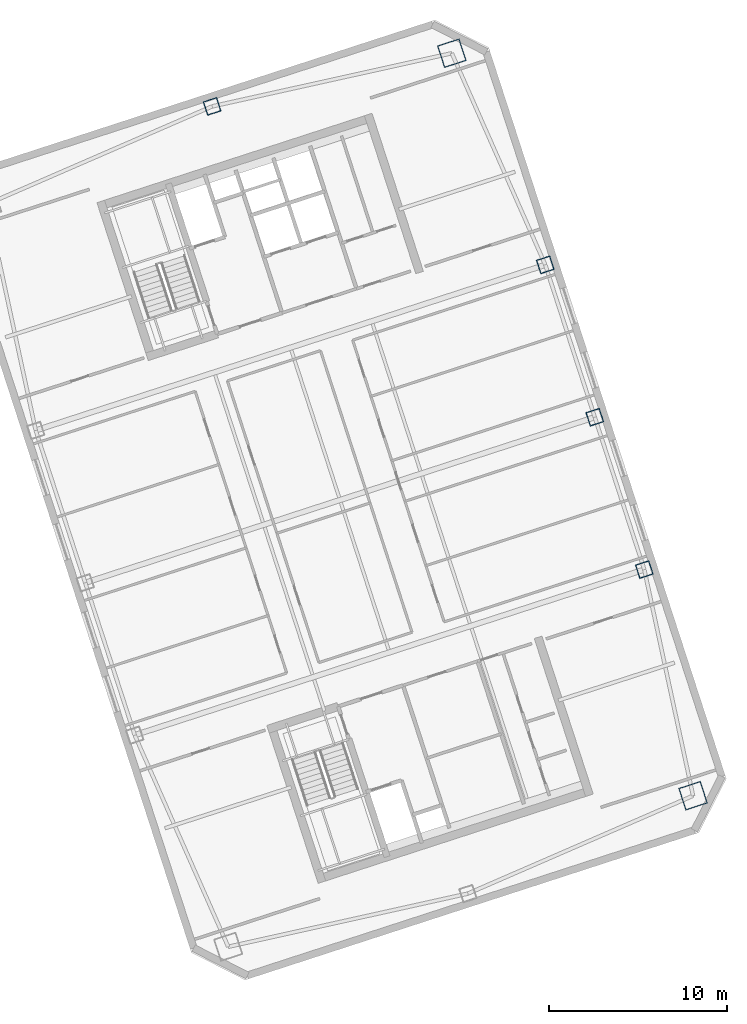
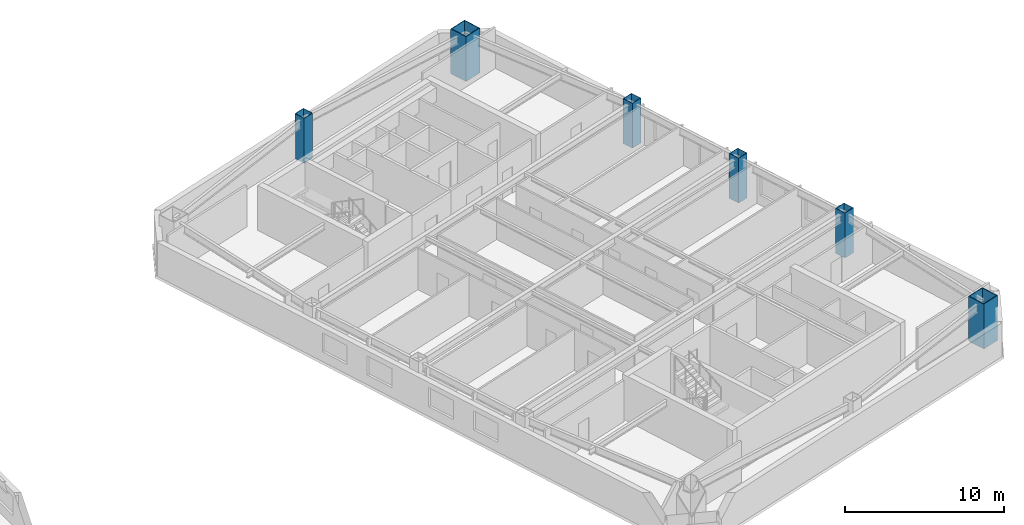
# One storey, part 2 of 13: 6 columns.
"""IFC4 building model written with IfcOpenShell, lengths in metres."""

from ifc_helpers import new_model, si_unit, direction, frame, origin, origin_2d, place, context, subcontext, project, spatial, hollow_rectangle, extrude, material, material_profile, profile_set, type_object, element, save


model = new_model("IFC4")

# Units and contexts
model_context = context("Model", 3, precision=1e-05, world=origin(), true_north=direction((0.0, 1.0)))
body_context = subcontext(model_context, "Body", "Model", "MODEL_VIEW")
ifc_project = project(units=[si_unit("LENGTHUNIT", "METRE"), si_unit("AREAUNIT", "SQUARE_METRE"), si_unit("VOLUMEUNIT", "CUBIC_METRE"), si_unit("PLANEANGLEUNIT", "RADIAN"), si_unit("MASSUNIT", "GRAM", prefix="KILO")], contexts=[model_context])

# Site, building, storey
site_placement = place(None, origin())
site = spatial("IfcSite", under=ifc_project, at=site_placement, CompositionType="ELEMENT")
building_placement = place(site_placement, origin())
building = spatial("IfcBuilding", under=site, at=building_placement, Name="Qiaolan Cultural Towers", CompositionType="ELEMENT")
storey_placement = place(building_placement, frame((0.0, 0.0, 192.050048828125)))
storey = spatial("IfcBuildingStorey", under=building, at=storey_placement, Name="L51", CompositionType="ELEMENT", Elevation=192.050048828125)

# Columns
ifc_material_1 = material(Name="Steel Q390GJB", Category="steel")
ifc_material_profile_1 = material_profile(ifc_material_1, hollow_rectangle(XDim=1.300048828125, YDim=1.300048828125, WallThickness=0.044921875, at=origin_2d()), Name="BOX1300x1300x45")
ifc_profile_set_1 = profile_set([ifc_material_profile_1], Name="Steel Q390GJB")
column_type_1 = type_object("IfcColumnType", Name="COL-BOX1300x1300x45", PredefinedType="COLUMN", material=ifc_profile_set_1)
for number, where, z_axis, x_axis, name in (
    (1, (109.834716796875, 17.38623046875, 0.0), (0.0, 0.0, 1.0), (0.951056516295, 0.309016994375, 0.0), "L51 T2 Perimeter Column MC-SE"),
    (2, (96.28125, 59.099365234375, 0.0), (0.0, 0.0, 1.0), (0.951056516295, 0.309016994375, 0.0), "L51 T2 Perimeter Column MC-NE"),
):
    element("IfcColumn", number, at=place(storey_placement, frame(where, z_axis=z_axis, x_axis=x_axis)), inside=storey, type_object=column_type_1, Name=name, PredefinedType="COLUMN", context=body_context, shape_type="SweptSolid", body=[
        extrude(hollow_rectangle(XDim=1.300048828125, YDim=1.300048828125, WallThickness=0.044921875, at=origin_2d()), origin(), (0.0, 0.0, 1.0), 3.450927734375),
    ])
ifc_material_2 = material(Name="Steel Q355B", Category="steel")
ifc_material_profile_2 = material_profile(ifc_material_2, hollow_rectangle(XDim=0.800048828125, YDim=0.800048828125, WallThickness=0.028076171875, at=origin_2d()), Name="BOX800x800x28")
ifc_profile_set_2 = profile_set([ifc_material_profile_2], Name="Steel Q355B")
column_type_2 = type_object("IfcColumnType", Name="COL-BOX800x800x28", PredefinedType="COLUMN", material=ifc_profile_set_2)
for number, where, z_axis, x_axis, name in (
    (3, (107.094482421875, 30.09130859375, 0.0), (0.0, 0.0, 1.0), (0.951056516295, 0.309016994375, 0.0), "L51 T2 Perimeter Column PC-E1"),
    (4, (104.3134765625, 38.650634765625, 0.0), (0.0, 0.0, 1.0), (0.951056516295, 0.309016994375, 0.0), "L51 T2 Perimeter Column PC-E2"),
    (5, (101.5322265625, 47.210205078125, 0.0), (0.0, 0.0, 1.0), (0.951056516295, 0.309016994375, 0.0), "L51 T2 Perimeter Column PC-E3"),
    (6, (82.8154296875, 56.112060546875, 0.0), (0.0, 0.0, 1.0), (0.951056516295, 0.309016994375, 0.0), "L51 T2 Perimeter Column PC-N0"),
):
    element("IfcColumn", number, at=place(storey_placement, frame(where, z_axis=z_axis, x_axis=x_axis)), inside=storey, type_object=column_type_2, Name=name, PredefinedType="COLUMN", context=body_context, shape_type="SweptSolid", body=[
        extrude(hollow_rectangle(XDim=0.800048828125, YDim=0.800048828125, WallThickness=0.028076171875, at=origin_2d()), origin(), (0.0, 0.0, 1.0), 3.450927734375),
    ])

save(model, "model.ifc")
